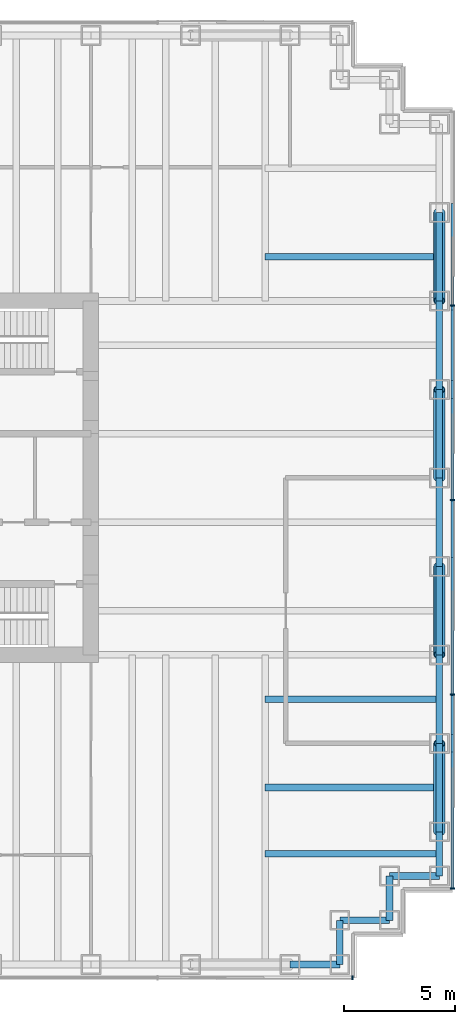
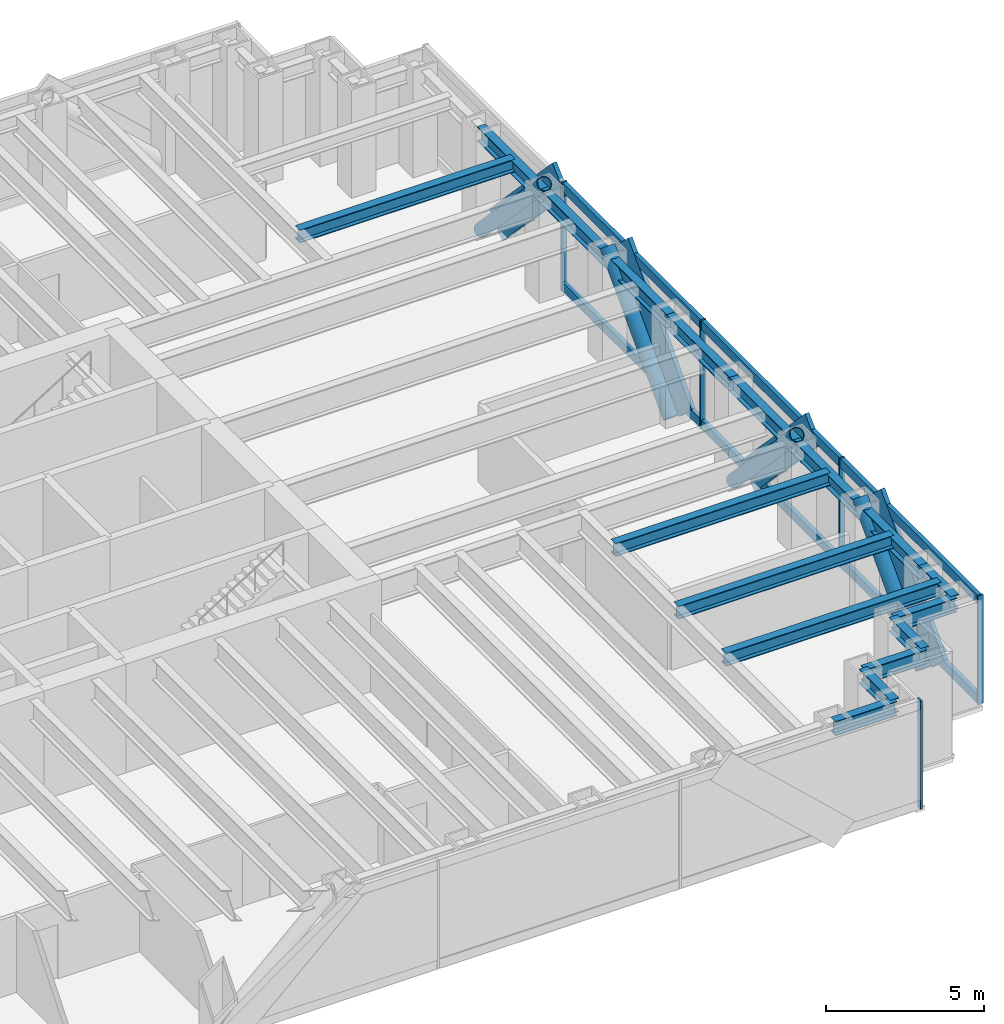
# One storey, part 8 of 15: 19 members, 17 beams, 2 elements without a shape of their own.
"""IFC4 building model written with IfcOpenShell, lengths in metres."""

from ifc_helpers import new_model, si_unit, direction, frame, origin, origin_2d, place, context, subcontext, project, spatial, rectangle, hollow_circle, i_section, extrude, material, material_profile, profile_set, type_object, element, aggregate, save


model = new_model("IFC4")

# Units and contexts
model_context = context("Model", 3, precision=1e-05, world=origin(), true_north=direction((0.0, 1.0)))
body_context = subcontext(model_context, "Body", "Model", "MODEL_VIEW")
ifc_project = project(units=[si_unit("LENGTHUNIT", "METRE"), si_unit("AREAUNIT", "SQUARE_METRE"), si_unit("VOLUMEUNIT", "CUBIC_METRE"), si_unit("PLANEANGLEUNIT", "RADIAN"), si_unit("MASSUNIT", "GRAM", prefix="KILO")], contexts=[model_context])

# Site, building, storey
site_placement = place(None, origin())
site = spatial("IfcSite", under=ifc_project, at=site_placement, CompositionType="ELEMENT")
building_placement = place(site_placement, origin())
building = spatial("IfcBuilding", under=site, at=building_placement, Name="Rheinbord Bourse Tower", CompositionType="ELEMENT")
storey_placement = place(building_placement, frame((0.0, 0.0, 279.5)))
storey = spatial("IfcBuildingStorey", under=building, at=storey_placement, Name="L63", CompositionType="ELEMENT", Elevation=279.5)

# Curtain wall, members
ifc_material_1 = material(Name="Dark glass and black aluminium", Category="aluminium")
curtain_wall_type = type_object("IfcCurtainWallType", Name="CW3 DARK GLASS CURTAIN WALL", PredefinedType="USERDEFINED", material=ifc_material_1)
curtain_wall_1_placement = place(storey_placement, origin())
curtain_wall_1 = element("IfcCurtainWall", 1, at=curtain_wall_1_placement, inside=storey, type_object=curtain_wall_type, Name="Curtain wall CW3 E L63", ObjectType="UNITISED CURTAIN WALL", PredefinedType="USERDEFINED")
ifc_material_2 = material(Name="Black anodised aluminium", Category="aluminium")
ifc_material_profile_1 = material_profile(ifc_material_2, rectangle(XDim=0.14990234375, YDim=1.10791015625, at=origin_2d()), Name="CW3 DIAGONAL MULLION 1108x150")
ifc_profile_set_1 = profile_set([ifc_material_profile_1], Name="Black anodised aluminium")
member_type_1 = type_object("IfcMemberType", Name="CW3 BLACK DIAGONAL MULLION", PredefinedType="USERDEFINED", material=ifc_profile_set_1)
member_1_placement = place(storey_placement, frame((70.35009765625, 36.0, 0.0), z_axis=(0.0, -0.689659376744, 0.724133926887), x_axis=(1.0, 0.0, 0.0)))
member_1 = element("IfcMember", 2, at=member_1_placement, type_object=member_type_1, Name="CW3 diagonal mullion a", ObjectType="DIAGONAL MULLION", PredefinedType="USERDEFINED", context=body_context, shape_type="SweptSolid", body=[
    extrude(rectangle(XDim=0.14990234375, YDim=1.10791015625, at=origin_2d()), origin(), (0.0, 0.0, 1.0), 5.800048828125),
])
member_2_placement = place(storey_placement, frame((70.35009765625, 8.0, 0.0), z_axis=(0.0, 0.689659376744, 0.724133926887), x_axis=(-1.0, 0.0, 0.0)))
member_2 = element("IfcMember", 3, at=member_2_placement, type_object=member_type_1, Name="CW3 diagonal mullion b", ObjectType="DIAGONAL MULLION", PredefinedType="USERDEFINED", context=body_context, shape_type="SweptSolid", body=[
    extrude(rectangle(XDim=0.14990234375, YDim=1.10791015625, at=origin_2d()), origin(), (0.0, 0.0, 1.0), 5.800048828125),
])
member_3_placement = place(storey_placement, frame((70.35009765625, 20.0, 0.0), z_axis=(0.0, -0.689659376744, 0.724133926887), x_axis=(1.0, 0.0, 0.0)))
member_3 = element("IfcMember", 4, at=member_3_placement, type_object=member_type_1, Name="CW3 diagonal mullion c", ObjectType="DIAGONAL MULLION", PredefinedType="USERDEFINED", context=body_context, shape_type="SweptSolid", body=[
    extrude(rectangle(XDim=0.14990234375, YDim=1.10791015625, at=origin_2d()), origin(), (0.0, 0.0, 1.0), 5.800048828125),
])
member_4_placement = place(storey_placement, frame((70.35009765625, 24.0, 0.0), z_axis=(0.0, 0.689659376744, 0.724133926887), x_axis=(-1.0, 0.0, 0.0)))
member_4 = element("IfcMember", 5, at=member_4_placement, type_object=member_type_1, Name="CW3 diagonal mullion d", ObjectType="DIAGONAL MULLION", PredefinedType="USERDEFINED", context=body_context, shape_type="SweptSolid", body=[
    extrude(rectangle(XDim=0.14990234375, YDim=1.10791015625, at=origin_2d()), origin(), (0.0, 0.0, 1.0), 5.800048828125),
])

# Curtain wall, member
curtain_wall_2_placement = place(storey_placement, origin())
curtain_wall_2 = element("IfcCurtainWall", 6, at=curtain_wall_2_placement, inside=storey, type_object=curtain_wall_type, Name="Curtain wall CW3 S L63", ObjectType="UNITISED CURTAIN WALL", PredefinedType="USERDEFINED")
ifc_material_3 = material(Name="Black anodised aluminium", Category="aluminium")
ifc_material_profile_2 = material_profile(ifc_material_3, rectangle(XDim=0.199951171875, YDim=0.06494140625, at=origin_2d()), Name="CW3 MULLION 65x200")
ifc_profile_set_2 = profile_set([ifc_material_profile_2], Name="Black anodised aluminium")
member_type_2 = type_object("IfcMemberType", Name="CW3 BLACK MULLION", PredefinedType="MULLION", material=ifc_profile_set_2)
member_5_placement = place(storey_placement, frame((65.8173828125, 1.39990234375, 0.0), z_axis=(0.0, 0.0, 1.0), x_axis=(0.0, 1.0, 0.0)))
member_5 = element("IfcMember", 7, at=member_5_placement, type_object=member_type_2, Name="CW3 mullion 8", PredefinedType="MULLION", context=body_context, shape_type="SweptSolid", body=[
    extrude(rectangle(XDim=0.199951171875, YDim=0.06494140625, at=origin_2d()), origin(), (0.0, 0.0, 1.0), 4.199951171875),
])
aggregate(curtain_wall_2, [member_5])

# Member
member_6_placement = place(storey_placement, frame((70.35009765625, 5.4326171875, 0.0), z_axis=(0.0, 0.0, 1.0), x_axis=(-1.0, 0.0, 0.0)))
member_6 = element("IfcMember", 8, at=member_6_placement, type_object=member_type_2, Name="CW3 mullion 1", PredefinedType="MULLION", context=body_context, shape_type="SweptSolid", body=[
    extrude(rectangle(XDim=0.199951171875, YDim=0.06494140625, at=origin_2d()), origin(), (0.0, 0.0, 1.0), 4.199951171875),
])

member_7_placement = place(storey_placement, frame((70.35009765625, 14.199951171875, 0.0), z_axis=(0.0, 0.0, 1.0), x_axis=(-1.0, 0.0, 0.0)))
member_7 = element("IfcMember", 9, at=member_7_placement, type_object=member_type_2, Name="CW3 mullion 2", PredefinedType="MULLION", context=body_context, shape_type="SweptSolid", body=[
    extrude(rectangle(XDim=0.199951171875, YDim=0.06494140625, at=origin_2d()), origin(), (0.0, 0.0, 1.0), 4.199951171875),
])

member_8_placement = place(storey_placement, frame((70.35009765625, 23.0, 0.0), z_axis=(0.0, 0.0, 1.0), x_axis=(-1.0, 0.0, 0.0)))
member_8 = element("IfcMember", 10, at=member_8_placement, type_object=member_type_2, Name="CW3 mullion 3", PredefinedType="MULLION", context=body_context, shape_type="SweptSolid", body=[
    extrude(rectangle(XDim=0.199951171875, YDim=0.06494140625, at=origin_2d()), origin(), (0.0, 0.0, 1.0), 4.199951171875),
])

member_9_placement = place(storey_placement, frame((70.35009765625, 31.800048828125, 0.0), z_axis=(0.0, 0.0, 1.0), x_axis=(-1.0, 0.0, 0.0)))
member_9 = element("IfcMember", 11, at=member_9_placement, type_object=member_type_2, Name="CW3 mullion 4", PredefinedType="MULLION", context=body_context, shape_type="SweptSolid", body=[
    extrude(rectangle(XDim=0.199951171875, YDim=0.06494140625, at=origin_2d()), origin(), (0.0, 0.0, 1.0), 4.199951171875),
])

ifc_material_4 = material(Name="Black anodised aluminium", Category="aluminium")
ifc_material_profile_3 = material_profile(ifc_material_4, rectangle(XDim=0.14990234375, YDim=0.35009765625, at=origin_2d()), Name="CW3 TRANSOM 350x150")
ifc_profile_set_3 = profile_set([ifc_material_profile_3], Name="Black anodised aluminium")
member_type_3 = type_object("IfcMemberType", Name="CW3 BLACK TRANSOM", PredefinedType="USERDEFINED", material=ifc_profile_set_3)
member_10_placement = place(storey_placement, frame((70.35009765625, 5.465087890625, 0.175048828125), z_axis=(0.0, 1.0, 0.0), x_axis=(-1.0, 0.0, 0.0)))
member_10 = element("IfcMember", 12, at=member_10_placement, type_object=member_type_3, Name="CW3 transom 1.1", ObjectType="TRANSOM", PredefinedType="USERDEFINED", context=body_context, shape_type="SweptSolid", body=[
    extrude(rectangle(XDim=0.14990234375, YDim=0.35009765625, at=origin_2d()), origin(), (0.0, 0.0, 1.0), 8.702392578125),
])

member_11_placement = place(storey_placement, frame((70.35009765625, 5.465087890625, 4.02490234375), z_axis=(0.0, 1.0, 0.0), x_axis=(-1.0, 0.0, 0.0)))
member_11 = element("IfcMember", 13, at=member_11_placement, type_object=member_type_3, Name="CW3 transom 1.2", ObjectType="TRANSOM", PredefinedType="USERDEFINED", context=body_context, shape_type="SweptSolid", body=[
    extrude(rectangle(XDim=0.14990234375, YDim=0.35009765625, at=origin_2d()), origin(), (0.0, 0.0, 1.0), 8.702392578125),
])

member_12_placement = place(storey_placement, frame((70.35009765625, 14.232421875, 0.175048828125), z_axis=(0.0, 1.0, 0.0), x_axis=(-1.0, 0.0, 0.0)))
member_12 = element("IfcMember", 14, at=member_12_placement, type_object=member_type_3, Name="CW3 transom 2.1", ObjectType="TRANSOM", PredefinedType="USERDEFINED", context=body_context, shape_type="SweptSolid", body=[
    extrude(rectangle(XDim=0.14990234375, YDim=0.35009765625, at=origin_2d()), origin(), (0.0, 0.0, 1.0), 8.735107421875),
])

member_13_placement = place(storey_placement, frame((70.35009765625, 14.232421875, 4.02490234375), z_axis=(0.0, 1.0, 0.0), x_axis=(-1.0, 0.0, 0.0)))
member_13 = element("IfcMember", 15, at=member_13_placement, type_object=member_type_3, Name="CW3 transom 2.2", ObjectType="TRANSOM", PredefinedType="USERDEFINED", context=body_context, shape_type="SweptSolid", body=[
    extrude(rectangle(XDim=0.14990234375, YDim=0.35009765625, at=origin_2d()), origin(), (0.0, 0.0, 1.0), 8.735107421875),
])

member_14_placement = place(storey_placement, frame((70.35009765625, 23.032470703125, 0.175048828125), z_axis=(0.0, 1.0, 0.0), x_axis=(-1.0, 0.0, 0.0)))
member_14 = element("IfcMember", 16, at=member_14_placement, type_object=member_type_3, Name="CW3 transom 3.1", ObjectType="TRANSOM", PredefinedType="USERDEFINED", context=body_context, shape_type="SweptSolid", body=[
    extrude(rectangle(XDim=0.14990234375, YDim=0.35009765625, at=origin_2d()), origin(), (0.0, 0.0, 1.0), 8.735107421875),
])

member_15_placement = place(storey_placement, frame((70.35009765625, 23.032470703125, 4.02490234375), z_axis=(0.0, 1.0, 0.0), x_axis=(-1.0, 0.0, 0.0)))
member_15 = element("IfcMember", 17, at=member_15_placement, type_object=member_type_3, Name="CW3 transom 3.2", ObjectType="TRANSOM", PredefinedType="USERDEFINED", context=body_context, shape_type="SweptSolid", body=[
    extrude(rectangle(XDim=0.14990234375, YDim=0.35009765625, at=origin_2d()), origin(), (0.0, 0.0, 1.0), 8.735107421875),
])

aggregate(curtain_wall_1, [member_6, member_7, member_8, member_9, member_10, member_11, member_12, member_13, member_14, member_15, member_1, member_2, member_3, member_4])

# Members
ifc_material_5 = material(Name="Steel S460", Category="steel")
ifc_material_profile_4 = material_profile(ifc_material_5, hollow_circle(Radius=0.25390625, WallThickness=0.030029296875, at=origin_2d()), Name="CHS 508x30")
ifc_profile_set_4 = profile_set([ifc_material_profile_4], Name="Steel S460")
member_type_4 = type_object("IfcMemberType", Name="MEGABRACE CHS 508x30", PredefinedType="BRACE", material=ifc_profile_set_4)
for number, where, z_axis, x_axis, name in (
    (18, (69.75, 36.0, 0.0), (0.0, -0.689659376744, 0.724133926887), (1.0, 0.0, 0.0), "Megabrace E face line a L63"),
    (19, (69.75, 8.0, 0.0), (0.0, 0.689659376744, 0.724133926887), (-1.0, 0.0, 0.0), "Megabrace E face line b L63"),
    (20, (69.75, 20.0, 0.0), (0.0, -0.689659376744, 0.724133926887), (1.0, 0.0, 0.0), "Megabrace E face line c L63"),
    (21, (69.75, 24.0, 0.0), (0.0, 0.689659376744, 0.724133926887), (-1.0, 0.0, 0.0), "Megabrace E face line d L63"),
):
    element("IfcMember", number, at=place(storey_placement, frame(where, z_axis=z_axis, x_axis=x_axis)), inside=storey, type_object=member_type_4, Name=name, PredefinedType="BRACE", context=body_context, shape_type="SweptSolid", body=[
        extrude(hollow_circle(Radius=0.25390625, WallThickness=0.030029296875, at=origin_2d()), origin(), (0.0, 0.0, 1.0), 5.800048828125),
    ])

# Beams
ifc_material_6 = material(Name="Steel S460", Category="steel")
ifc_material_profile_5 = material_profile(ifc_material_6, i_section(OverallWidth=0.300048828125, OverallDepth=0.550048828125, WebThickness=0.014892578125, FlangeThickness=0.029052734375, at=origin_2d()), Name="HEB 550")
ifc_profile_set_5 = profile_set([ifc_material_profile_5], Name="Steel S460")
beam_type_1 = type_object("IfcBeamType", Name="SPANDREL HEB 550", PredefinedType="SPANDREL", material=ifc_profile_set_5)
beam_1_placement = place(storey_placement, frame((63.0, 2.0, 3.764892578125), z_axis=(1.0, 0.0, 0.0), x_axis=(0.0, 1.0, 0.0)))
element("IfcBeam", 22, at=beam_1_placement, inside=storey, type_object=beam_type_1, Name="Spandrel S-63-SE-E under L64", PredefinedType="SPANDREL", context=body_context, shape_type="SweptSolid", body=[
    extrude(i_section(OverallWidth=0.300048828125, OverallDepth=0.550048828125, WebThickness=0.014892578125, FlangeThickness=0.029052734375, at=origin_2d()), origin(), (0.0, 0.0, 1.0), 2.25),
])
beam_2_placement = place(storey_placement, frame((65.25, 2.0, 3.764892578125), z_axis=(0.0, 1.0, 0.0), x_axis=(-1.0, 0.0, 0.0)))
element("IfcBeam", 23, at=beam_2_placement, inside=storey, type_object=beam_type_1, Name="Spandrel SE-E-SE-D under L64", PredefinedType="SPANDREL", context=body_context, shape_type="SweptSolid", body=[
    extrude(i_section(OverallWidth=0.300048828125, OverallDepth=0.550048828125, WebThickness=0.014892578125, FlangeThickness=0.029052734375, at=origin_2d()), origin(), (0.0, 0.0, 1.0), 2.0),
])
beam_3_placement = place(storey_placement, frame((65.25, 4.0, 3.764892578125), z_axis=(1.0, 0.0, 0.0), x_axis=(0.0, 1.0, 0.0)))
element("IfcBeam", 24, at=beam_3_placement, inside=storey, type_object=beam_type_1, Name="Spandrel SE-D-SE-C under L64", PredefinedType="SPANDREL", context=body_context, shape_type="SweptSolid", body=[
    extrude(i_section(OverallWidth=0.300048828125, OverallDepth=0.550048828125, WebThickness=0.014892578125, FlangeThickness=0.029052734375, at=origin_2d()), origin(), (0.0, 0.0, 1.0), 2.25),
])
beam_4_placement = place(storey_placement, frame((67.5, 4.0, 3.764892578125), z_axis=(0.0, 1.0, 0.0), x_axis=(-1.0, 0.0, 0.0)))
element("IfcBeam", 25, at=beam_4_placement, inside=storey, type_object=beam_type_1, Name="Spandrel SE-C-SE-B under L64", PredefinedType="SPANDREL", context=body_context, shape_type="SweptSolid", body=[
    extrude(i_section(OverallWidth=0.300048828125, OverallDepth=0.550048828125, WebThickness=0.014892578125, FlangeThickness=0.029052734375, at=origin_2d()), origin(), (0.0, 0.0, 1.0), 2.0),
])
beam_5_placement = place(storey_placement, frame((67.5, 6.0, 3.764892578125), z_axis=(1.0, 0.0, 0.0), x_axis=(0.0, 1.0, 0.0)))
element("IfcBeam", 26, at=beam_5_placement, inside=storey, type_object=beam_type_1, Name="Spandrel SE-B-SE-A under L64", PredefinedType="SPANDREL", context=body_context, shape_type="SweptSolid", body=[
    extrude(i_section(OverallWidth=0.300048828125, OverallDepth=0.550048828125, WebThickness=0.014892578125, FlangeThickness=0.029052734375, at=origin_2d()), origin(), (0.0, 0.0, 1.0), 2.25),
])
beam_6_placement = place(storey_placement, frame((69.75, 6.0, 3.764892578125), z_axis=(0.0, 1.0, 0.0), x_axis=(-1.0, 0.0, 0.0)))
element("IfcBeam", 27, at=beam_6_placement, inside=storey, type_object=beam_type_1, Name="Spandrel SE-A-E-8 under L64", PredefinedType="SPANDREL", context=body_context, shape_type="SweptSolid", body=[
    extrude(i_section(OverallWidth=0.300048828125, OverallDepth=0.550048828125, WebThickness=0.014892578125, FlangeThickness=0.029052734375, at=origin_2d()), origin(), (0.0, 0.0, 1.0), 2.0),
])
for number, where, z_axis, x_axis, name in (
    (28, (69.75, 8.0, 3.764892578125), (0.0, 1.0, 0.0), (-1.0, 0.0, 0.0), "Spandrel E-8-E-12 under L64"),
    (29, (69.75, 12.0, 3.764892578125), (0.0, 1.0, 0.0), (-1.0, 0.0, 0.0), "Spandrel E-12-E-16 under L64"),
    (30, (69.75, 16.0, 3.764892578125), (0.0, 1.0, 0.0), (-1.0, 0.0, 0.0), "Spandrel E-16-E-20 under L64"),
    (31, (69.75, 20.0, 3.764892578125), (0.0, 1.0, 0.0), (-1.0, 0.0, 0.0), "Spandrel E-20-E-24 under L64"),
    (32, (69.75, 24.0, 3.764892578125), (0.0, 1.0, 0.0), (-1.0, 0.0, 0.0), "Spandrel E-24-E-28 under L64"),
    (33, (69.75, 28.0, 3.764892578125), (0.0, 1.0, 0.0), (-1.0, 0.0, 0.0), "Spandrel E-28-E-32 under L64"),
    (34, (69.75, 32.0, 3.764892578125), (0.0, 1.0, 0.0), (-1.0, 0.0, 0.0), "Spandrel E-32-E-36 under L64"),
):
    element("IfcBeam", number, at=place(storey_placement, frame(where, z_axis=z_axis, x_axis=x_axis)), inside=storey, type_object=beam_type_1, Name=name, PredefinedType="SPANDREL", context=body_context, shape_type="SweptSolid", body=[
        extrude(i_section(OverallWidth=0.300048828125, OverallDepth=0.550048828125, WebThickness=0.014892578125, FlangeThickness=0.029052734375, at=origin_2d()), origin(), (0.0, 0.0, 1.0), 4.0),
    ])
ifc_material_7 = material(Name="Steel S460", Category="steel")
ifc_material_profile_6 = material_profile(ifc_material_7, i_section(OverallWidth=0.300048828125, OverallDepth=0.5, WebThickness=0.014404296875, FlangeThickness=0.028076171875, at=origin_2d()), Name="HEB 500")
ifc_profile_set_6 = profile_set([ifc_material_profile_6], Name="Steel S460")
beam_type_2 = type_object("IfcBeamType", Name="TIE BEAM HEB 500", PredefinedType="JOIST", material=ifc_profile_set_6)
for number, where, z_axis, x_axis, name in (
    (35, (61.875, 7.0, 3.7900390625), (1.0, 0.0, 0.0), (0.0, 1.0, 0.0), "Tie east 7 L64"),
    (36, (61.875, 10.0, 3.7900390625), (1.0, 0.0, 0.0), (0.0, 1.0, 0.0), "Tie east 10 L64"),
    (37, (61.875, 14.0, 3.7900390625), (1.0, 0.0, 0.0), (0.0, 1.0, 0.0), "Tie east 14 L64"),
    (38, (61.875, 34.0, 3.7900390625), (1.0, 0.0, 0.0), (0.0, 1.0, 0.0), "Tie east 34 L64"),
):
    element("IfcBeam", number, at=place(storey_placement, frame(where, z_axis=z_axis, x_axis=x_axis)), inside=storey, type_object=beam_type_2, Name=name, PredefinedType="JOIST", context=body_context, shape_type="SweptSolid", body=[
        extrude(i_section(OverallWidth=0.300048828125, OverallDepth=0.5, WebThickness=0.014404296875, FlangeThickness=0.028076171875, at=origin_2d()), origin(), (0.0, 0.0, 1.0), 7.875),
    ])

save(model, "model.ifc")
